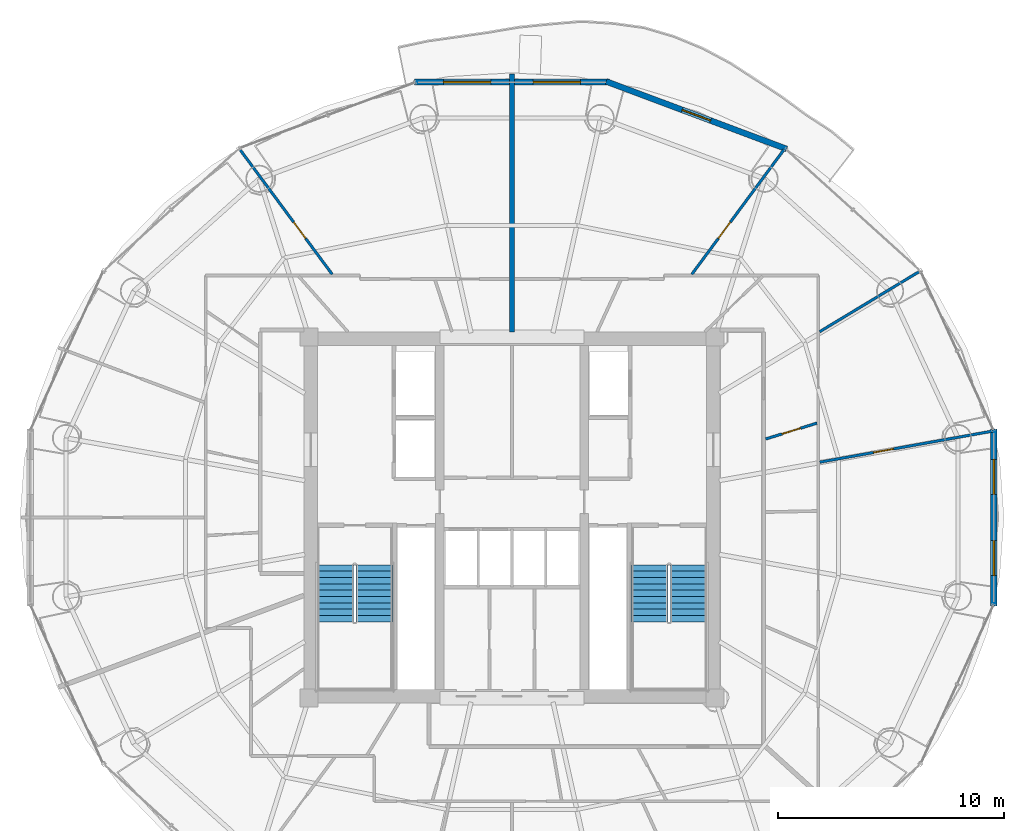
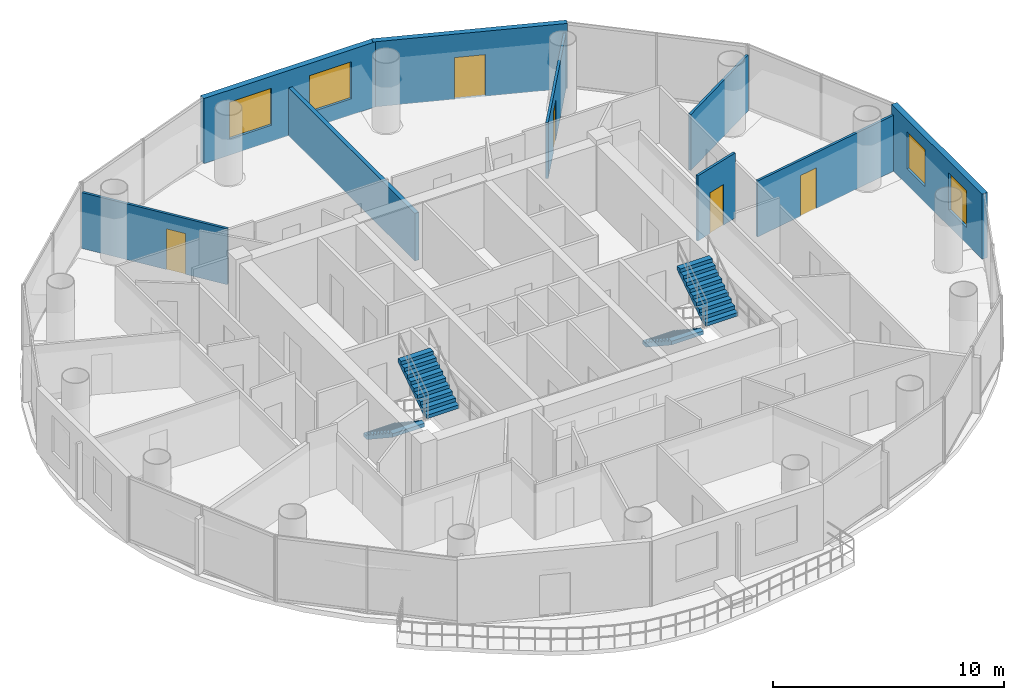
# One storey, part 23 of 26: 9 walls, 5 doors, 4 stair flights, 4 windows, 9 openings, 2 elements without a shape of their own.
"""IFC4 building model written with IfcOpenShell, lengths in metres."""

from ifc_helpers import new_model, si_unit, direction, frame, frame_2d, origin, place, context, subcontext, project, spatial, polyline, rectangle, outline, extrude, source, transform, mapped, material, layer, layer_set, type_object, element, fill, aggregate, save


model = new_model("IFC4")

# Units and contexts
model_context = context("Model", 3, precision=1e-05, world=origin(), true_north=direction((-0.2419218956, 0.970295726276)))
body_context = subcontext(model_context, "Body", "Model", "MODEL_VIEW")
ifc_project = project(units=[si_unit("LENGTHUNIT", "METRE"), si_unit("AREAUNIT", "SQUARE_METRE"), si_unit("VOLUMEUNIT", "CUBIC_METRE"), si_unit("PLANEANGLEUNIT", "RADIAN"), si_unit("MASSUNIT", "GRAM", prefix="KILO")], contexts=[model_context])

# Site, building, storey
site_placement = place(None, origin())
site = spatial("IfcSite", under=ifc_project, at=site_placement, CompositionType="ELEMENT")
building_placement = place(site_placement, origin())
building = spatial("IfcBuilding", under=site, at=building_placement, Name="Cobrevalo Terracotta Tower", CompositionType="ELEMENT")
storey_placement = place(building_placement, frame((0.0, 0.0, 206.0)))
storey = spatial("IfcBuildingStorey", under=building, at=storey_placement, Name="L54", CompositionType="ELEMENT", Elevation=206.0)

# Wall
ifc_material_1 = material(Name="Autoclaved aerated concrete block", Category="concrete")
ifc_layer_1 = layer(ifc_material_1, 0.199951171875)
ifc_layer_set_1 = layer_set([ifc_layer_1], Name="Autoclaved aerated concrete block")
wall_type_1 = type_object("IfcWallType", Name="Fire-rated stair, shaft & demising masonry wall 200 mm", PredefinedType="PARTITIONING", material=ifc_layer_set_1)
wall_1_placement = place(storey_placement, frame((38.0, 35.027099609375, 0.0), z_axis=(0.0, 0.0, 1.0), x_axis=(0.0, 1.0, 0.0)))
element("IfcWall", 1, at=wall_1_placement, inside=storey, type_object=wall_type_1, Name="L54 interior partition IW-L54-DEM-1", PredefinedType="PARTITIONING", context=body_context, shape_type="SweptSolid", body=[
    extrude(rectangle(XDim=11.412841796875, YDim=0.199951171875, at=frame_2d((5.70654296875, 0.0))), origin(), (0.0, 0.0, 1.0), 2.52001953125),
])

# Wall, openings, windows
ifc_layer_2 = layer(ifc_material_1, 0.280029296875)
ifc_layer_set_2 = layer_set([ifc_layer_2], Name="Autoclaved aerated concrete block")
wall_type_2 = type_object("IfcWallType", Name="Insulated tower spandrel & pier wall 280 mm with terracotta rainscreen", PredefinedType="SOLIDWALL", material=ifc_layer_set_2)
wall_2_placement = place(storey_placement, frame((42.3271484375, 46.092041015625, 0.0), z_axis=(0.0, 0.0, 1.0), x_axis=(-1.0, 0.0, 0.0)))
wall_2 = element("IfcWall", 2, at=wall_2_placement, inside=storey, type_object=wall_type_2, Name="L54 terracotta rainscreen pier wall S04", PredefinedType="SOLIDWALL", context=body_context, shape_type="SweptSolid", body=[
    extrude(rectangle(XDim=8.654296875, YDim=0.280029296875, at=frame_2d((4.3271484375, 0.0))), origin(), (0.0, 0.0, 1.0), 3.43505859375),
])
opening_1_placement = place(wall_2_placement, frame((1.28662109375, 0.0, 0.85009765625)))
opening_1 = element("IfcOpeningElement", 3, at=opening_1_placement, cuts=wall_2, Name="Opening WN-10", PredefinedType="OPENING", context=body_context, shape_type="SweptSolid", body=[
    extrude(rectangle(XDim=2.10009765625, YDim=1.949951171875, at=frame_2d((1.050048828125, 0.97509765625))), frame((0.0, 0.14990234375, 0.0), z_axis=(0.0, -1.0, 0.0), x_axis=(1.0, 0.0, 0.0)), (0.0, 0.0, 1.0), 0.300048828125),
])
opening_2_placement = place(wall_2_placement, frame((5.267578125, 0.0, 0.85009765625)))
opening_2 = element("IfcOpeningElement", 4, at=opening_2_placement, cuts=wall_2, Name="Opening WN-10", PredefinedType="OPENING", context=body_context, shape_type="SweptSolid", body=[
    extrude(rectangle(XDim=2.10009765625, YDim=1.949951171875, at=frame_2d((1.050048828125, 0.97509765625))), frame((0.0, 0.14990234375, 0.0), z_axis=(0.0, -1.0, 0.0), x_axis=(1.0, 0.0, 0.0)), (0.0, 0.0, 1.0), 0.300048828125),
])
ifc_material_2 = material(Name="Solar-control low-E double glazing", Category="glass")
window_type_1 = type_object("IfcWindowType", Name="Wide panoramic low-E aluminium window 2100x1950", PartitioningType="SINGLE_PANEL", PredefinedType="WINDOW", material=ifc_material_2)
shared_shape_1 = source(origin(), body_context, "Body", "SweptSolid", [
    extrude(rectangle(XDim=2.10009765625, YDim=1.949951171875, at=frame_2d((1.050048828125, 0.97509765625))), frame((0.0, 0.030029296875, 0.0), z_axis=(0.0, -1.0, 0.0), x_axis=(1.0, 0.0, 0.0)), (0.0, 0.0, 1.0), 0.06005859375),
])
window_1_placement = place(opening_1_placement, origin())
window_1 = element("IfcWindow", 5, at=window_1_placement, inside=storey, type_object=window_type_1, Name="L54 suite window S04A", OverallHeight=1.949951171875, OverallWidth=2.10009765625, PartitioningType="SINGLE_PANEL", PredefinedType="WINDOW", context=body_context, shape_type="MappedRepresentation", body=[
    mapped(shared_shape_1, transform((0.0, 0.0, 0.0), scale=1.0)),
])
fill(opening_1, window_1)
window_2_placement = place(opening_2_placement, origin())
window_2 = element("IfcWindow", 6, at=window_2_placement, inside=storey, type_object=window_type_1, Name="L54 suite window S04B", OverallHeight=1.949951171875, OverallWidth=2.10009765625, PartitioningType="SINGLE_PANEL", PredefinedType="WINDOW", context=body_context, shape_type="MappedRepresentation", body=[
    mapped(shared_shape_1, transform((0.0, 0.0, 0.0), scale=1.0)),
])
fill(opening_2, window_2)

wall_3_placement = place(storey_placement, frame((59.351806640625, 22.882568359375, 0.0), z_axis=(0.0, 0.0, 1.0), x_axis=(0.0, 1.0, 0.0)))
wall_3 = element("IfcWall", 7, at=wall_3_placement, inside=storey, type_object=wall_type_2, Name="L54 terracotta rainscreen pier wall S16", PredefinedType="SOLIDWALL", context=body_context, shape_type="SweptSolid", body=[
    extrude(rectangle(XDim=7.8349609375, YDim=0.280029296875, at=frame_2d((3.91748046875, 0.0))), origin(), (0.0, 0.0, 1.0), 3.43505859375),
])
opening_3_placement = place(wall_3_placement, frame((1.34033203125, 0.0, 0.85009765625)))
opening_3 = element("IfcOpeningElement", 8, at=opening_3_placement, cuts=wall_3, Name="Opening WN-12", PredefinedType="OPENING", context=body_context, shape_type="SweptSolid", body=[
    extrude(rectangle(XDim=1.550048828125, YDim=1.949951171875, at=frame_2d((0.77490234375, 0.97509765625))), frame((0.0, 0.14990234375, 0.0), z_axis=(0.0, -1.0, 0.0), x_axis=(1.0, 0.0, 0.0)), (0.0, 0.0, 1.0), 0.300048828125),
])
opening_4_placement = place(wall_3_placement, frame((4.9443359375, 0.0, 0.85009765625)))
opening_4 = element("IfcOpeningElement", 9, at=opening_4_placement, cuts=wall_3, Name="Opening WN-12", PredefinedType="OPENING", context=body_context, shape_type="SweptSolid", body=[
    extrude(rectangle(XDim=1.550048828125, YDim=1.949951171875, at=frame_2d((0.77490234375, 0.97509765625))), frame((0.0, 0.14990234375, 0.0), z_axis=(0.0, -1.0, 0.0), x_axis=(1.0, 0.0, 0.0)), (0.0, 0.0, 1.0), 0.300048828125),
])
window_type_2 = type_object("IfcWindowType", Name="Solar-control low-E aluminium window 1550x1950", PartitioningType="SINGLE_PANEL", PredefinedType="WINDOW", material=ifc_material_2)
shared_shape_2 = source(origin(), body_context, "Body", "SweptSolid", [
    extrude(rectangle(XDim=1.550048828125, YDim=1.949951171875, at=frame_2d((0.77490234375, 0.97509765625))), frame((0.0, 0.030029296875, 0.0), z_axis=(0.0, -1.0, 0.0), x_axis=(1.0, 0.0, 0.0)), (0.0, 0.0, 1.0), 0.06005859375),
])
window_3_placement = place(opening_3_placement, origin())
window_3 = element("IfcWindow", 10, at=window_3_placement, inside=storey, type_object=window_type_2, Name="L54 suite window S16A", OverallHeight=1.949951171875, OverallWidth=1.550048828125, PartitioningType="SINGLE_PANEL", PredefinedType="WINDOW", context=body_context, shape_type="MappedRepresentation", body=[
    mapped(shared_shape_2, transform((0.0, 0.0, 0.0), scale=1.0)),
])
fill(opening_3, window_3)
window_4_placement = place(opening_4_placement, origin())
window_4 = element("IfcWindow", 11, at=window_4_placement, inside=storey, type_object=window_type_2, Name="L54 suite window S16B", OverallHeight=1.949951171875, OverallWidth=1.550048828125, PartitioningType="SINGLE_PANEL", PredefinedType="WINDOW", context=body_context, shape_type="MappedRepresentation", body=[
    mapped(shared_shape_2, transform((0.0, 0.0, 0.0), scale=1.0)),
])
fill(opening_4, window_4)

# Wall, opening, door
ifc_layer_3 = layer(ifc_material_1, 0.260009765625)
ifc_layer_set_3 = layer_set([ifc_layer_3], Name="Autoclaved aerated concrete block")
wall_type_3 = type_object("IfcWallType", Name="Recessed balcony loggia insulated exterior wall 260 mm", PredefinedType="SOLIDWALL", material=ifc_layer_set_3)
wall_4_placement = place(storey_placement, frame((50.169677734375, 43.126953125, 0.0), z_axis=(0.0, 0.0, 1.0), x_axis=(-0.936556918375, 0.350515532672, 0.0)))
wall_4 = element("IfcWall", 12, at=wall_4_placement, inside=storey, type_object=wall_type_3, Name="L54 balcony loggia wall S03", PredefinedType="SOLIDWALL", context=body_context, shape_type="SweptSolid", body=[
    extrude(rectangle(XDim=8.539306640625, YDim=0.260009765625, at=frame_2d((4.26953125, 0.0))), origin(), (0.0, 0.0, 1.0), 3.43505859375),
])
opening_5_placement = place(wall_4_placement, frame((3.594482421875, 0.0, 0.0)))
opening_5 = element("IfcOpeningElement", 13, at=opening_5_placement, cuts=wall_4, Name="Opening ED-05", PredefinedType="OPENING", context=body_context, shape_type="SweptSolid", body=[
    extrude(rectangle(XDim=1.35009765625, YDim=2.199951171875, at=frame_2d((0.675048828125, 1.10009765625))), frame((0.0, 0.14013671875, 0.0), z_axis=(0.0, -1.0, 0.0), x_axis=(1.0, 0.0, 0.0)), (0.0, 0.0, 1.0), 0.280029296875),
])
ifc_material_3 = material(Name="Anodized aluminium and laminated glass", Category="aluminium")
door_type_1 = type_object("IfcDoorType", Name="Suite balcony acoustic glazed terrace door 1350x2200", OperationType="NOTDEFINED", PredefinedType="DOOR", material=ifc_material_3)
shared_shape_3 = source(origin(), body_context, "Body", "SweptSolid", [
    extrude(rectangle(XDim=1.35009765625, YDim=2.199951171875, at=frame_2d((0.675048828125, 1.10009765625))), frame((0.0, 0.02490234375, 0.0), z_axis=(0.0, -1.0, 0.0), x_axis=(1.0, 0.0, 0.0)), (0.0, 0.0, 1.0), 0.050048828125),
])
door_1_placement = place(opening_5_placement, frame((1.35009765625, 0.0, 0.0), z_axis=(0.0, 0.0, 1.0), x_axis=(-1.0, 0.0, 0.0)))
door_1 = element("IfcDoor", 14, at=door_1_placement, inside=storey, type_object=door_type_1, Name="L54 glazed balcony terrace door 1", OperationType="SINGLE_SWING_LEFT", OverallHeight=2.199951171875, OverallWidth=1.35009765625, PredefinedType="DOOR", context=body_context, shape_type="MappedRepresentation", body=[
    mapped(shared_shape_3, transform((0.0, 0.0, 0.0), scale=1.0)),
])
fill(opening_5, door_1)

ifc_material_4 = material(Name="Gypsum board on steel stud", Category="steel")
ifc_layer_4 = layer(ifc_material_4, 0.1201171875)
ifc_layer_set_4 = layer_set([ifc_layer_4], Name="Gypsum board on steel stud")
wall_type_4 = type_object("IfcWallType", Name="Residential internal acoustic stud partition 120 mm", PredefinedType="PARTITIONING", material=ifc_layer_set_4)
wall_5_placement = place(storey_placement, frame((30.032958984375, 37.574951171875, 0.0), z_axis=(0.0, 0.0, 1.0), x_axis=(-0.59452500855, 0.804077119565, 0.0)))
wall_5 = element("IfcWall", 15, at=wall_5_placement, inside=storey, type_object=wall_type_4, Name="L54 interior partition IW-L54-U1-ORAD1", PredefinedType="PARTITIONING", context=body_context, shape_type="SweptSolid", body=[
    extrude(rectangle(XDim=6.866943359375, YDim=0.1201171875, at=frame_2d((3.43359375, 0.0))), origin(), (0.0, 0.0, 1.0), 2.950927734375),
])
opening_6_placement = place(wall_5_placement, frame((1.975830078125, 0.0, 0.0)))
opening_6 = element("IfcOpeningElement", 16, at=opening_6_placement, cuts=wall_5, Name="Opening ID-12", PredefinedType="OPENING", context=body_context, shape_type="SweptSolid", body=[
    extrude(rectangle(XDim=0.89990234375, YDim=2.14990234375, at=frame_2d((0.449951171875, 1.074951171875))), frame((0.0, 0.070068359375, 0.0), z_axis=(0.0, -1.0, 0.0), x_axis=(1.0, 0.0, 0.0)), (0.0, 0.0, 1.0), 0.14013671875),
])
ifc_material_5 = material(Name="Engineered timber", Category="wood")
door_type_2 = type_object("IfcDoorType", Name="Internal residence & suite timber door 900x2150", OperationType="NOTDEFINED", PredefinedType="DOOR", material=ifc_material_5)
shared_shape_4 = source(origin(), body_context, "Body", "SweptSolid", [
    extrude(rectangle(XDim=0.89990234375, YDim=2.14990234375, at=frame_2d((0.449951171875, 1.074951171875))), frame((0.0, 0.02490234375, 0.0), z_axis=(0.0, -1.0, 0.0), x_axis=(1.0, 0.0, 0.0)), (0.0, 0.0, 1.0), 0.050048828125),
])
door_2_placement = place(opening_6_placement, frame((0.89990234375, 0.0, 0.0), z_axis=(0.0, 0.0, 1.0), x_axis=(-1.0, 0.0, 0.0)))
door_2 = element("IfcDoor", 17, at=door_2_placement, inside=storey, type_object=door_type_2, Name="Flat L54A Living and Dining Room internal door", OperationType="SINGLE_SWING_RIGHT", OverallHeight=2.14990234375, OverallWidth=0.89990234375, PredefinedType="DOOR", context=body_context, shape_type="MappedRepresentation", body=[
    mapped(shared_shape_4, transform((0.0, 0.0, 0.0), scale=1.0)),
])
fill(opening_6, door_2)

wall_6_placement = place(storey_placement, frame((51.635986328125, 29.2509765625, 0.0), z_axis=(0.0, 0.0, 1.0), x_axis=(0.984223216243, 0.176931231294, 0.0)))
wall_6 = element("IfcWall", 18, at=wall_6_placement, inside=storey, type_object=wall_type_4, Name="L54 interior partition IW-L54-U3-ORAD1", PredefinedType="PARTITIONING", context=body_context, shape_type="SweptSolid", body=[
    extrude(rectangle(XDim=7.76318359375, YDim=0.1201171875, at=frame_2d((3.881591796875, 0.0))), origin(), (0.0, 0.0, 1.0), 2.950927734375),
])
opening_7_placement = place(wall_6_placement, frame((2.42138671875, 0.0, 0.0)))
opening_7 = element("IfcOpeningElement", 19, at=opening_7_placement, cuts=wall_6, Name="Opening ID-12", PredefinedType="OPENING", context=body_context, shape_type="SweptSolid", body=[
    extrude(rectangle(XDim=0.89990234375, YDim=2.14990234375, at=frame_2d((0.449951171875, 1.074951171875))), frame((0.0, 0.070068359375, 0.0), z_axis=(0.0, -1.0, 0.0), x_axis=(1.0, 0.0, 0.0)), (0.0, 0.0, 1.0), 0.14013671875),
])
door_3_placement = place(opening_7_placement, frame((0.89990234375, 0.0, 0.0), z_axis=(0.0, 0.0, 1.0), x_axis=(-1.0, 0.0, 0.0)))
door_3 = element("IfcDoor", 20, at=door_3_placement, inside=storey, type_object=door_type_2, Name="Flat L54C Penthouse Living and Dining Room internal door", OperationType="SINGLE_SWING_LEFT", OverallHeight=2.14990234375, OverallWidth=0.89990234375, PredefinedType="DOOR", context=body_context, shape_type="MappedRepresentation", body=[
    mapped(shared_shape_4, transform((0.0, 0.0, 0.0), scale=1.0)),
])
fill(opening_7, door_3)

# Wall
wall_7_placement = place(storey_placement, frame((51.628173828125, 35.02880859375, 0.0), z_axis=(0.0, 0.0, 1.0), x_axis=(0.856041879651, 0.516906471505, 0.0)))
element("IfcWall", 21, at=wall_7_placement, inside=storey, type_object=wall_type_4, Name="L54 interior partition IW-L54-U3-ORAD2M1", PredefinedType="PARTITIONING", context=body_context, shape_type="SweptSolid", body=[
    extrude(rectangle(XDim=5.148681640625, YDim=0.1201171875, at=frame_2d((2.57421875, 0.0))), origin(), (0.0, 0.0, 1.0), 2.950927734375),
])

# Wall, opening, door
wall_8_placement = place(storey_placement, frame((45.967041015625, 37.574951171875, 0.0), z_axis=(0.0, 0.0, 1.0), x_axis=(0.59452500855, 0.804077119565, 0.0)))
wall_8 = element("IfcWall", 22, at=wall_8_placement, inside=storey, type_object=wall_type_4, Name="L54 interior partition IW-L54-U3-ORAD2", PredefinedType="PARTITIONING", context=body_context, shape_type="SweptSolid", body=[
    extrude(rectangle(XDim=6.866943359375, YDim=0.1201171875, at=frame_2d((3.43359375, 0.0))), origin(), (0.0, 0.0, 1.0), 2.950927734375),
])
opening_8_placement = place(wall_8_placement, frame((1.975341796875, 0.0, 0.0)))
opening_8 = element("IfcOpeningElement", 23, at=opening_8_placement, cuts=wall_8, Name="Opening ID-12", PredefinedType="OPENING", context=body_context, shape_type="SweptSolid", body=[
    extrude(rectangle(XDim=0.89990234375, YDim=2.14990234375, at=frame_2d((0.449951171875, 1.074951171875))), frame((0.0, 0.070068359375, 0.0), z_axis=(0.0, -1.0, 0.0), x_axis=(1.0, 0.0, 0.0)), (0.0, 0.0, 1.0), 0.14013671875),
])
door_4_placement = place(opening_8_placement, frame((0.89990234375, 0.0, 0.0), z_axis=(0.0, 0.0, 1.0), x_axis=(-1.0, 0.0, 0.0)))
door_4 = element("IfcDoor", 24, at=door_4_placement, inside=storey, type_object=door_type_2, Name="Flat L54C Principal Guest Bedroom internal door", OperationType="SINGLE_SWING_RIGHT", OverallHeight=2.14990234375, OverallWidth=0.89990234375, PredefinedType="DOOR", context=body_context, shape_type="MappedRepresentation", body=[
    mapped(shared_shape_4, transform((0.0, 0.0, 0.0), scale=1.0)),
])
fill(opening_8, door_4)

wall_9_placement = place(storey_placement, frame((49.23681640625, 30.276611328125, 0.0), z_axis=(0.0, 0.0, 1.0), x_axis=(0.955326488692, 0.295552533406, 0.0)))
wall_9 = element("IfcWall", 25, at=wall_9_placement, inside=storey, type_object=wall_type_4, Name="L54 interior partition IW-L54-U3-IRAD3", PredefinedType="PARTITIONING", context=body_context, shape_type="SweptSolid", body=[
    extrude(rectangle(XDim=2.3857421875, YDim=0.1201171875, at=frame_2d((1.19287109375, 0.0))), origin(), (0.0, 0.0, 1.0), 3.43505859375),
])
opening_9_placement = place(wall_9_placement, frame((0.7626953125, 0.0, 0.0)))
opening_9 = element("IfcOpeningElement", 26, at=opening_9_placement, cuts=wall_9, Name="Opening ID-19", PredefinedType="OPENING", context=body_context, shape_type="SweptSolid", body=[
    extrude(rectangle(XDim=0.860107421875, YDim=2.14990234375, at=frame_2d((0.43017578125, 1.074951171875))), frame((0.0, 0.070068359375, 0.0), z_axis=(0.0, -1.0, 0.0), x_axis=(1.0, 0.0, 0.0)), (0.0, 0.0, 1.0), 0.14013671875),
])
ifc_material_6 = material(Name="Moisture-sealed timber", Category="wood")
door_type_3 = type_object("IfcDoorType", Name="Suite bathroom internal timber door 860x2150", OperationType="NOTDEFINED", PredefinedType="DOOR", material=ifc_material_6)
shared_shape_5 = source(origin(), body_context, "Body", "SweptSolid", [
    extrude(rectangle(XDim=0.860107421875, YDim=2.14990234375, at=frame_2d((0.43017578125, 1.074951171875))), frame((0.0, 0.02490234375, 0.0), z_axis=(0.0, -1.0, 0.0), x_axis=(1.0, 0.0, 0.0)), (0.0, 0.0, 1.0), 0.050048828125),
])
door_5_placement = place(opening_9_placement, frame((0.860107421875, 0.0, 0.0), z_axis=(0.0, 0.0, 1.0), x_axis=(-1.0, 0.0, 0.0)))
door_5 = element("IfcDoor", 27, at=door_5_placement, inside=storey, type_object=door_type_3, Name="Flat L54C Primary Bathroom internal door", OperationType="SINGLE_SWING_LEFT", OverallHeight=2.14990234375, OverallWidth=0.860107421875, PredefinedType="DOOR", context=body_context, shape_type="MappedRepresentation", body=[
    mapped(shared_shape_5, transform((0.0, 0.0, 0.0), scale=1.0)),
])
fill(opening_9, door_5)

# Stair, stair flights
ifc_material_7 = material(Name="Concrete C50", Category="concrete")
stair_type = type_object("IfcStairType", Name="Core protected escape dogleg stair 1600", PredefinedType="HALF_TURN_STAIR", material=ifc_material_7)
stair_1_placement = place(storey_placement, origin())
stair_1 = element("IfcStair", 28, at=stair_1_placement, inside=storey, type_object=stair_type, Name="L54 Protected exit stair ST-1", PredefinedType="HALF_TURN_STAIR")
stair_flight_type = type_object("IfcStairFlightType", Name="Core protected escape dogleg stair 1600 flight", PredefinedType="STRAIGHT", material=ifc_material_7)
stair_flight_1_placement = place(storey_placement, frame((30.175048828125, 24.699951171875, 0.0), z_axis=(0.0, 0.0, 1.0), x_axis=(0.0, -1.0, 0.0)))
stair_flight_1 = element("IfcStairFlight", 29, at=stair_flight_1_placement, type_object=stair_flight_type, Name="ST-1 flight 1", NumberOfRisers=10, NumberOfTreads=9, PredefinedType="STRAIGHT", RiserHeight=0.185, TreadLength=0.28, context=body_context, shape_type="SweptSolid", body=[
    extrude(outline(polyline([(0.0, 0.0), (0.0, 0.18505859375), (0.280029296875, 0.18505859375), (0.280029296875, 0.3701171875), (0.56005859375, 0.3701171875), (0.56005859375, 0.554931640625), (0.840087890625, 0.554931640625), (0.840087890625, 0.739990234375), (1.1201171875, 0.739990234375), (1.1201171875, 0.925048828125), (1.39990234375, 0.925048828125), (1.39990234375, 1.110107421875), (1.679931640625, 1.110107421875), (1.679931640625, 1.294921875), (1.9599609375, 1.294921875), (1.9599609375, 1.47998046875), (2.239990234375, 1.47998046875), (2.239990234375, 1.6650390625), (2.52001953125, 1.6650390625), (2.52001953125, 1.85009765625), (2.52001953125, 1.473388671875), (0.2900390625, 0.0), (0.0, 0.0)])), frame((0.0, 0.800048828125, 0.0), z_axis=(0.0, -1.0, 0.0), x_axis=(1.0, 0.0, 0.0)), (0.0, 0.0, 1.0), 1.60009765625),
])
stair_flight_2_placement = place(storey_placement, frame((31.89501953125, 22.179931640625, 1.85009765625), z_axis=(0.0, 0.0, 1.0), x_axis=(0.0, 1.0, 0.0)))
stair_flight_2 = element("IfcStairFlight", 30, at=stair_flight_2_placement, type_object=stair_flight_type, Name="ST-1 flight 2", NumberOfRisers=10, NumberOfTreads=9, PredefinedType="STRAIGHT", RiserHeight=0.185, TreadLength=0.28, context=body_context, shape_type="SweptSolid", body=[
    extrude(outline(polyline([(0.0, 0.0), (0.0, 0.18505859375), (0.280029296875, 0.18505859375), (0.280029296875, 0.3701171875), (0.56005859375, 0.3701171875), (0.56005859375, 0.554931640625), (0.840087890625, 0.554931640625), (0.840087890625, 0.739990234375), (1.1201171875, 0.739990234375), (1.1201171875, 0.925048828125), (1.39990234375, 0.925048828125), (1.39990234375, 1.110107421875), (1.679931640625, 1.110107421875), (1.679931640625, 1.294921875), (1.9599609375, 1.294921875), (1.9599609375, 1.47998046875), (2.239990234375, 1.47998046875), (2.239990234375, 1.6650390625), (2.52001953125, 1.6650390625), (2.52001953125, 1.85009765625), (2.52001953125, 1.473388671875), (0.2900390625, 0.0), (0.0, 0.0)])), frame((0.0, 0.800048828125, 0.0), z_axis=(0.0, -1.0, 0.0), x_axis=(1.0, 0.0, 0.0)), (0.0, 0.0, 1.0), 1.60009765625),
])
aggregate(stair_1, [stair_flight_1, stair_flight_2])

stair_2_placement = place(storey_placement, origin())
stair_2 = element("IfcStair", 31, at=stair_2_placement, inside=storey, type_object=stair_type, Name="L54 Protected exit stair ST-2", PredefinedType="HALF_TURN_STAIR")
stair_flight_3_placement = place(storey_placement, frame((44.10498046875, 24.699951171875, 0.0), z_axis=(0.0, 0.0, 1.0), x_axis=(0.0, -1.0, 0.0)))
stair_flight_3 = element("IfcStairFlight", 32, at=stair_flight_3_placement, type_object=stair_flight_type, Name="ST-2 flight 1", NumberOfRisers=10, NumberOfTreads=9, PredefinedType="STRAIGHT", RiserHeight=0.185, TreadLength=0.28, context=body_context, shape_type="SweptSolid", body=[
    extrude(outline(polyline([(0.0, 0.0), (0.0, 0.18505859375), (0.280029296875, 0.18505859375), (0.280029296875, 0.3701171875), (0.56005859375, 0.3701171875), (0.56005859375, 0.554931640625), (0.840087890625, 0.554931640625), (0.840087890625, 0.739990234375), (1.1201171875, 0.739990234375), (1.1201171875, 0.925048828125), (1.39990234375, 0.925048828125), (1.39990234375, 1.110107421875), (1.679931640625, 1.110107421875), (1.679931640625, 1.294921875), (1.9599609375, 1.294921875), (1.9599609375, 1.47998046875), (2.239990234375, 1.47998046875), (2.239990234375, 1.6650390625), (2.52001953125, 1.6650390625), (2.52001953125, 1.85009765625), (2.52001953125, 1.473388671875), (0.2900390625, 0.0), (0.0, 0.0)])), frame((0.0, 0.800048828125, 0.0), z_axis=(0.0, -1.0, 0.0), x_axis=(1.0, 0.0, 0.0)), (0.0, 0.0, 1.0), 1.60009765625),
])
stair_flight_4_placement = place(storey_placement, frame((45.824951171875, 22.179931640625, 1.85009765625), z_axis=(0.0, 0.0, 1.0), x_axis=(0.0, 1.0, 0.0)))
stair_flight_4 = element("IfcStairFlight", 33, at=stair_flight_4_placement, type_object=stair_flight_type, Name="ST-2 flight 2", NumberOfRisers=10, NumberOfTreads=9, PredefinedType="STRAIGHT", RiserHeight=0.185, TreadLength=0.28, context=body_context, shape_type="SweptSolid", body=[
    extrude(outline(polyline([(0.0, 0.0), (0.0, 0.18505859375), (0.280029296875, 0.18505859375), (0.280029296875, 0.3701171875), (0.56005859375, 0.3701171875), (0.56005859375, 0.554931640625), (0.840087890625, 0.554931640625), (0.840087890625, 0.739990234375), (1.1201171875, 0.739990234375), (1.1201171875, 0.925048828125), (1.39990234375, 0.925048828125), (1.39990234375, 1.110107421875), (1.679931640625, 1.110107421875), (1.679931640625, 1.294921875), (1.9599609375, 1.294921875), (1.9599609375, 1.47998046875), (2.239990234375, 1.47998046875), (2.239990234375, 1.6650390625), (2.52001953125, 1.6650390625), (2.52001953125, 1.85009765625), (2.52001953125, 1.473388671875), (0.2900390625, 0.0), (0.0, 0.0)])), frame((0.0, 0.800048828125, 0.0), z_axis=(0.0, -1.0, 0.0), x_axis=(1.0, 0.0, 0.0)), (0.0, 0.0, 1.0), 1.60009765625),
])
aggregate(stair_2, [stair_flight_3, stair_flight_4])

save(model, "model.ifc")
